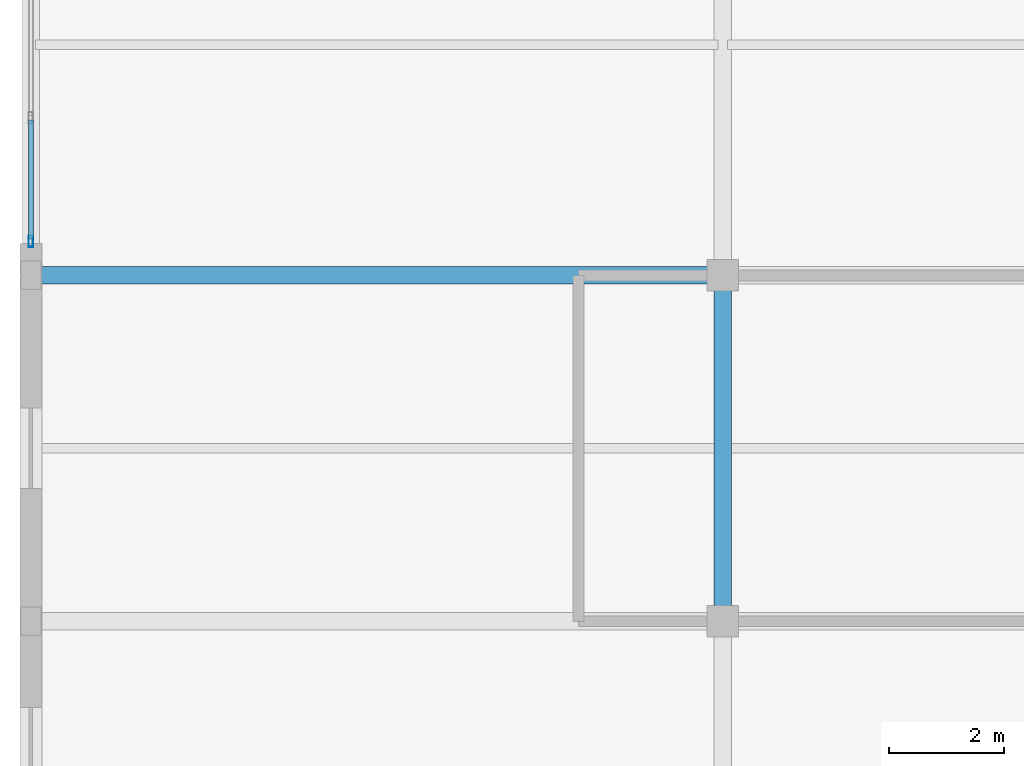
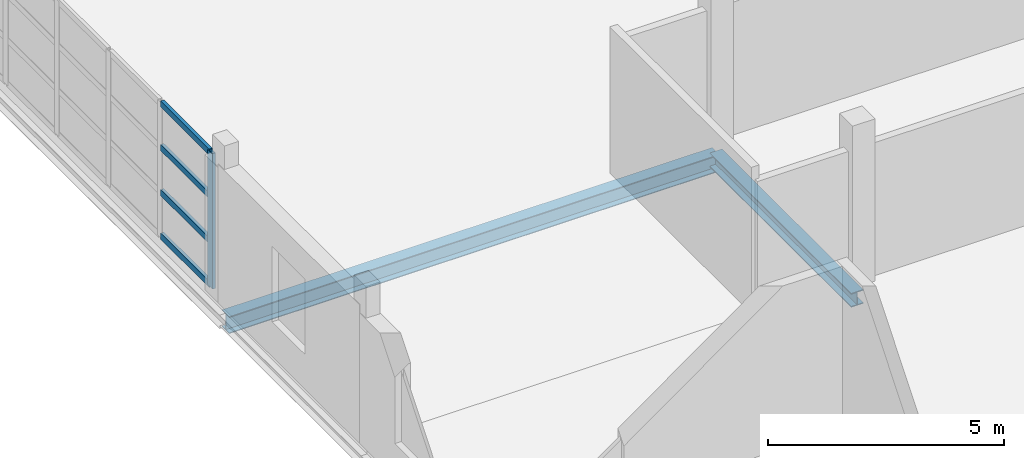
# One storey, part 15 of 86: 5 members, 2 beams, 1 element without a shape of its own.
"""IFC4 building model written with IfcOpenShell, lengths in metres."""

from ifc_helpers import new_model, si_unit, direction, frame, origin, origin_2d, place, context, subcontext, project, spatial, hollow_rectangle, i_section, extrude, material, layer, layer_set, material_profile, profile_set, type_object, element, aggregate, save


model = new_model("IFC4")

# Units and contexts
model_context = context("Model", 3, precision=1e-05, world=origin(), true_north=direction((0.0, 1.0)))
body_context = subcontext(model_context, "Body", "Model", "MODEL_VIEW")
ifc_project = project(units=[si_unit("LENGTHUNIT", "METRE"), si_unit("AREAUNIT", "SQUARE_METRE"), si_unit("VOLUMEUNIT", "CUBIC_METRE"), si_unit("PLANEANGLEUNIT", "RADIAN"), si_unit("MASSUNIT", "GRAM", prefix="KILO")], contexts=[model_context])

# Site, building, storey
site_placement = place(None, origin())
site = spatial("IfcSite", under=ifc_project, at=site_placement, CompositionType="ELEMENT")
building_placement = place(site_placement, origin())
building = spatial("IfcBuilding", under=site, at=building_placement, Name="Zilviju Railside Exhibition Hall", CompositionType="ELEMENT")
storey_placement = place(building_placement, frame((0.0, 0.0, 12.60009765625)))
storey = spatial("IfcBuildingStorey", under=building, at=storey_placement, Name="L04", CompositionType="ELEMENT", Elevation=12.60009765625)

# Beams
ifc_material_1 = material(Name="Steel S355J2", Category="steel")
ifc_material_profile_1 = material_profile(ifc_material_1, i_section(OverallWidth=0.300048828125, OverallDepth=0.43994140625, WebThickness=0.011474609375, FlangeThickness=0.02099609375, at=origin_2d()), Name="HEA 450")
ifc_profile_set_1 = profile_set([ifc_material_profile_1], Name="Steel S355J2")
beam_type_1 = type_object("IfcBeamType", Name="BM-HEA450", PredefinedType="BEAM", material=ifc_profile_set_1)
beam_1_placement = place(storey_placement, frame((0.0, 126.0, -0.56005859375), z_axis=(1.0, 0.0, 0.0), x_axis=(0.0, 1.0, 0.0)))
element("IfcBeam", 1, at=beam_1_placement, inside=storey, type_object=beam_type_1, Name="Primary Girder L04 Y=126.0 (0.0..12.0)", PredefinedType="BEAM", context=body_context, shape_type="SweptSolid", body=[
    extrude(i_section(OverallWidth=0.300048828125, OverallDepth=0.43994140625, WebThickness=0.011474609375, FlangeThickness=0.02099609375, at=origin_2d()), origin(), (0.0, 0.0, 1.0), 12.0),
])
ifc_material_profile_2 = material_profile(ifc_material_1, i_section(OverallWidth=0.300048828125, OverallDepth=0.360107421875, WebThickness=0.012451171875, FlangeThickness=0.0224609375, at=origin_2d()), Name="HEB 360")
ifc_profile_set_2 = profile_set([ifc_material_profile_2], Name="Steel S355J2")
beam_type_2 = type_object("IfcBeamType", Name="BM-HEB360", PredefinedType="BEAM", material=ifc_profile_set_2)
beam_2_placement = place(storey_placement, frame((12.0, 120.0, -0.52001953125), z_axis=(0.0, 1.0, 0.0), x_axis=(-1.0, 0.0, 0.0)))
element("IfcBeam", 2, at=beam_2_placement, inside=storey, type_object=beam_type_2, Name="Transverse Girder L04 X=12.0 (120.0..126.0)", PredefinedType="BEAM", context=body_context, shape_type="SweptSolid", body=[
    extrude(i_section(OverallWidth=0.300048828125, OverallDepth=0.360107421875, WebThickness=0.012451171875, FlangeThickness=0.0224609375, at=origin_2d()), origin(), (0.0, 0.0, 1.0), 6.0),
])

# Curtain wall, members
ifc_material_2 = material(Name="Thermally broken aluminium-steel triple-glazed curtain wall", Category="steel")
ifc_layer = layer(ifc_material_2, 0.179931640625)
ifc_layer_set = layer_set([ifc_layer], Name="Thermally broken aluminium-steel triple-glazed curtain wall")
curtain_wall_type = type_object("IfcCurtainWallType", Name="CW-BAY-06", PredefinedType="USERDEFINED", material=ifc_layer_set)
curtain_wall_placement = place(storey_placement, origin())
curtain_wall = element("IfcCurtainWall", 3, at=curtain_wall_placement, inside=storey, type_object=curtain_wall_type, Name="Organisers Wing Jugendstils Erkeri Curtain Wall L04", ObjectType="GLAZED CURTAIN WALL", PredefinedType="USERDEFINED")
ifc_material_3 = material(Name="Thermally broken anodized aluminium mullion", Category="aluminium")
ifc_material_profile_3 = material_profile(ifc_material_3, hollow_rectangle(XDim=0.080078125, YDim=0.199951171875, WallThickness=0.0048828125, at=origin_2d()), Name="MULLION 200x80x5")
ifc_profile_set_3 = profile_set([ifc_material_profile_3], Name="Thermally broken anodized aluminium mullion")
member_type_1 = type_object("IfcMemberType", Name="CWM-80x200", PredefinedType="MULLION", material=ifc_profile_set_3)
member_1_placement = place(storey_placement, frame((0.0, 126.590087890625, 0.0), z_axis=(0.0, 0.0, 1.0), x_axis=(-1.0, 0.0, 0.0)))
member_1 = element("IfcMember", 4, at=member_1_placement, type_object=member_type_1, Name="CW-06 mullion 1", PredefinedType="MULLION", context=body_context, shape_type="SweptSolid", body=[
    extrude(hollow_rectangle(XDim=0.080078125, YDim=0.199951171875, WallThickness=0.0048828125, at=origin_2d()), origin(), (0.0, 0.0, 1.0), 3.5),
])
ifc_material_4 = material(Name="Thermally broken anodized aluminium transom", Category="aluminium")
ifc_material_profile_4 = material_profile(ifc_material_4, hollow_rectangle(XDim=0.080078125, YDim=0.159912109375, WallThickness=0.0048828125, at=origin_2d()), Name="TRANSOM 160x80x5")
ifc_profile_set_4 = profile_set([ifc_material_profile_4], Name="Thermally broken anodized aluminium transom")
member_type_2 = type_object("IfcMemberType", Name="CWT-80x160", PredefinedType="USERDEFINED", material=ifc_profile_set_4)
member_2_placement = place(storey_placement, frame((0.0, 126.6298828125, 0.039794921875), z_axis=(0.0, 1.0, 0.0), x_axis=(-1.0, 0.0, 0.0)))
member_2 = element("IfcMember", 5, at=member_2_placement, type_object=member_type_2, Name="CW-06 transom 1.1", ObjectType="TRANSOM", PredefinedType="USERDEFINED", context=body_context, shape_type="SweptSolid", body=[
    extrude(hollow_rectangle(XDim=0.080078125, YDim=0.159912109375, WallThickness=0.0048828125, at=origin_2d()), origin(), (0.0, 0.0, 1.0), 2.06005859375),
])
member_3_placement = place(storey_placement, frame((0.0, 126.6298828125, 1.1669921875), z_axis=(0.0, 1.0, 0.0), x_axis=(-1.0, 0.0, 0.0)))
member_3 = element("IfcMember", 6, at=member_3_placement, type_object=member_type_2, Name="CW-06 transom 1.2", ObjectType="TRANSOM", PredefinedType="USERDEFINED", context=body_context, shape_type="SweptSolid", body=[
    extrude(hollow_rectangle(XDim=0.080078125, YDim=0.159912109375, WallThickness=0.0048828125, at=origin_2d()), origin(), (0.0, 0.0, 1.0), 2.06005859375),
])
member_4_placement = place(storey_placement, frame((0.0, 126.6298828125, 2.3330078125), z_axis=(0.0, 1.0, 0.0), x_axis=(-1.0, 0.0, 0.0)))
member_4 = element("IfcMember", 7, at=member_4_placement, type_object=member_type_2, Name="CW-06 transom 1.3", ObjectType="TRANSOM", PredefinedType="USERDEFINED", context=body_context, shape_type="SweptSolid", body=[
    extrude(hollow_rectangle(XDim=0.080078125, YDim=0.159912109375, WallThickness=0.0048828125, at=origin_2d()), origin(), (0.0, 0.0, 1.0), 2.06005859375),
])
member_5_placement = place(storey_placement, frame((0.0, 126.6298828125, 3.4599609375), z_axis=(0.0, 1.0, 0.0), x_axis=(-1.0, 0.0, 0.0)))
member_5 = element("IfcMember", 8, at=member_5_placement, type_object=member_type_2, Name="CW-06 transom 1.4", ObjectType="TRANSOM", PredefinedType="USERDEFINED", context=body_context, shape_type="SweptSolid", body=[
    extrude(hollow_rectangle(XDim=0.080078125, YDim=0.159912109375, WallThickness=0.0048828125, at=origin_2d()), origin(), (0.0, 0.0, 1.0), 2.06005859375),
])
aggregate(curtain_wall, [member_1, member_2, member_3, member_4, member_5])

save(model, "model.ifc")
